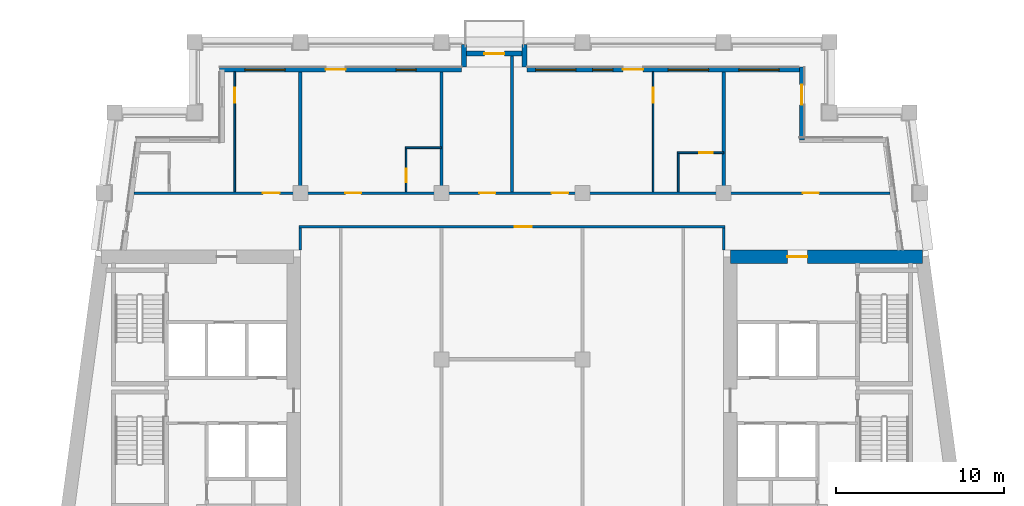
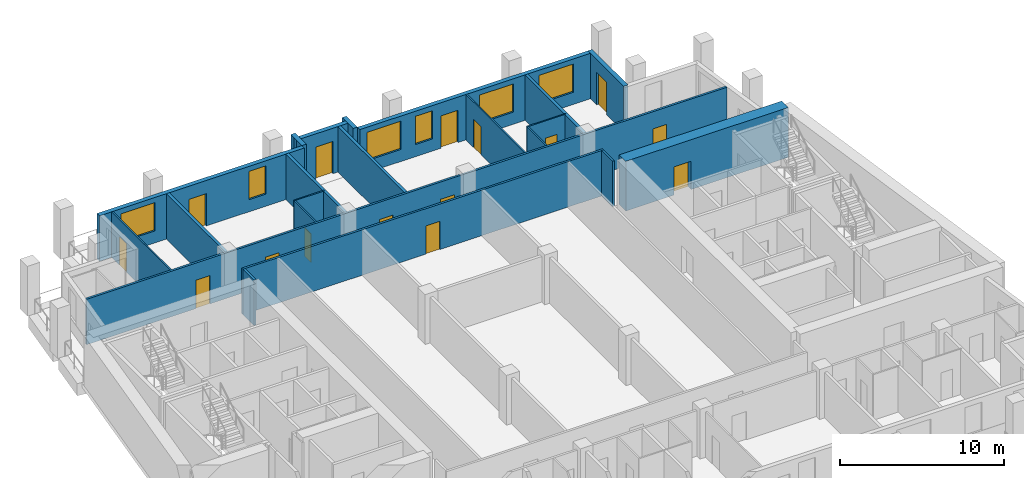
# One storey, part 6 of 12: 21 walls, 15 doors, 6 windows, 21 openings.
"""IFC4 building model written with IfcOpenShell, lengths in metres."""

from ifc_helpers import new_model, si_unit, direction, frame, frame_2d, origin, place, context, subcontext, project, spatial, rectangle, extrude, material, layer, layer_set, type_object, element, fill, save


model = new_model("IFC4")

# Units and contexts
model_context = context("Model", 3, precision=1e-05, world=origin(), true_north=direction((0.0, 1.0)))
body_context = subcontext(model_context, "Body", "Model", "MODEL_VIEW")
ifc_project = project(units=[si_unit("LENGTHUNIT", "METRE"), si_unit("AREAUNIT", "SQUARE_METRE"), si_unit("VOLUMEUNIT", "CUBIC_METRE"), si_unit("PLANEANGLEUNIT", "RADIAN"), si_unit("MASSUNIT", "GRAM", prefix="KILO")], contexts=[model_context])

# Site, building, storey
site_placement = place(None, origin())
site = spatial("IfcSite", under=ifc_project, at=site_placement, CompositionType="ELEMENT")
building_placement = place(site_placement, origin())
building = spatial("IfcBuilding", under=site, at=building_placement, Name="Candeia Pilgrim Tower and Theatre", CompositionType="ELEMENT")
storey_placement = place(building_placement, frame((0.0, 0.0, 231.800048828125)))
storey = spatial("IfcBuildingStorey", under=building, at=storey_placement, Name="L56", CompositionType="ELEMENT", Elevation=231.800048828125)

# Wall, opening, door
ifc_material_1 = material(Name="Concrete C50/60", Category="concrete")
ifc_layer_1 = layer(ifc_material_1, 0.800048828125)
ifc_layer_set_1 = layer_set([ifc_layer_1], Name="Core wall 800 C50/60")
wall_type_1 = type_object("IfcWallType", Name="Core wall 800 C50/60", PredefinedType="SHEAR", material=ifc_layer_set_1)
wall_1_placement = place(storey_placement, frame((126.39990234375, 132.0, 0.0), z_axis=(0.0, 0.0, 1.0), x_axis=(1.0, 0.0, 0.0)))
wall_1 = element("IfcWall", 1, at=wall_1_placement, inside=storey, type_object=wall_type_1, Name="Core wall E1", PredefinedType="SHEAR", context=body_context, shape_type="SweptSolid", body=[
    extrude(rectangle(XDim=11.419677734375, YDim=0.800048828125, at=frame_2d((5.7099609375, 0.0))), origin(), (0.0, 0.0, 1.0), 3.699951171875),
])
opening_1_placement = place(wall_1_placement, frame((3.386474609375, 0.0, 0.0)))
opening_1 = element("IfcOpeningElement", 2, at=opening_1_placement, cuts=wall_1, Name="Opening L56-D049", PredefinedType="OPENING", context=body_context, shape_type="SweptSolid", body=[
    extrude(rectangle(XDim=1.199951171875, YDim=2.10009765625, at=frame_2d((0.60009765625, 1.050048828125))), frame((0.0, 0.41015625, 0.0), z_axis=(0.0, -1.0, 0.0), x_axis=(1.0, 0.0, 0.0)), (0.0, 0.0, 1.0), 0.820068359375),
])
ifc_material_2 = material(Name="Steel fire door set", Category="steel")
door_type_1 = type_object("IfcDoorType", Name="D-1200-FD60", OperationType="NOTDEFINED", PredefinedType="DOOR", material=ifc_material_2)
door_1_placement = place(opening_1_placement, origin())
door_1 = element("IfcDoor", 3, at=door_1_placement, inside=storey, type_object=door_type_1, Name="Door L56-D049", OperationType="SINGLE_SWING_LEFT", OverallHeight=2.10009765625, OverallWidth=1.199951171875, PredefinedType="DOOR", context=body_context, shape_type="SweptSolid", body=[
    extrude(rectangle(XDim=1.199951171875, YDim=2.10009765625, at=frame_2d((0.60009765625, 1.050048828125))), frame((0.0, 0.02490234375, 0.0), z_axis=(0.0, -1.0, 0.0), x_axis=(1.0, 0.0, 0.0)), (0.0, 0.0, 1.0), 0.050048828125),
])
fill(opening_1, door_1)

ifc_material_3 = material(Name="Ceramic block masonry", Category="masonry")
ifc_layer_2 = layer(ifc_material_3, 0.300048828125)
ifc_layer_set_2 = layer_set([ifc_layer_2], Name="EW1 glazing-line wall 300")
wall_type_2 = type_object("IfcWallType", Name="EW1 glazing-line wall 300", PredefinedType="SOLIDWALL", material=ifc_layer_set_2)
wall_2_placement = place(storey_placement, frame((130.64990234375, 138.949951171875, 0.0), z_axis=(0.0, 0.0, 1.0), x_axis=(0.0, 1.0, 0.0)))
wall_2 = element("IfcWall", 4, at=wall_2_placement, inside=storey, type_object=wall_type_2, Name="External wall L56-5.0", PredefinedType="SOLIDWALL", context=body_context, shape_type="SweptSolid", body=[
    extrude(rectangle(XDim=4.35009765625, YDim=0.300048828125, at=frame_2d((2.175048828125, 0.0))), origin(), (0.0, 0.0, 1.0), 3.3798828125),
])
opening_2_placement = place(wall_2_placement, frame((2.10009765625, 0.0, 0.0)))
opening_2 = element("IfcOpeningElement", 5, at=opening_2_placement, cuts=wall_2, Name="Opening L56-ED539", PredefinedType="OPENING", context=body_context, shape_type="SweptSolid", body=[
    extrude(rectangle(XDim=1.199951171875, YDim=2.39990234375, at=frame_2d((0.60009765625, 1.199951171875))), frame((0.0, 0.16015625, 0.0), z_axis=(0.0, -1.0, 0.0), x_axis=(1.0, 0.0, 0.0)), (0.0, 0.0, 1.0), 0.320068359375),
])
ifc_material_4 = material(Name="Aluminium framed glazed door", Category="aluminium")
door_type_2 = type_object("IfcDoorType", Name="Loggia door 1200x2400", OperationType="DOUBLE_DOOR_SINGLE_SWING", PredefinedType="DOOR", material=ifc_material_4)
door_2_placement = place(opening_2_placement, origin())
door_2 = element("IfcDoor", 6, at=door_2_placement, inside=storey, type_object=door_type_2, Name="Loggia door L56-ED539", OperationType="DOUBLE_DOOR_SINGLE_SWING", OverallHeight=2.39990234375, OverallWidth=1.199951171875, PredefinedType="DOOR", context=body_context, shape_type="SweptSolid", body=[
    extrude(rectangle(XDim=1.199951171875, YDim=2.39990234375, at=frame_2d((0.60009765625, 1.199951171875))), frame((0.0, 0.02490234375, 0.0), z_axis=(0.0, -1.0, 0.0), x_axis=(1.0, 0.0, 0.0)), (0.0, 0.0, 1.0), 0.050048828125),
])
fill(opening_2, door_2)

# Wall, openings, door, windows
wall_3_placement = place(storey_placement, frame((130.64990234375, 143.14990234375, 0.0), z_axis=(0.0, 0.0, 1.0), x_axis=(-1.0, 0.0, 0.0)))
wall_3 = element("IfcWall", 7, at=wall_3_placement, inside=storey, type_object=wall_type_2, Name="External wall L56-6.0", PredefinedType="SOLIDWALL", context=body_context, shape_type="SweptSolid", body=[
    extrude(rectangle(XDim=16.349853515625, YDim=0.300048828125, at=frame_2d((8.1748046875, 0.0))), origin(), (0.0, 0.0, 1.0), 3.3798828125),
])
opening_3_placement = place(wall_3_placement, frame((1.35009765625, 0.0, 0.89990234375)))
opening_3 = element("IfcOpeningElement", 8, at=opening_3_placement, cuts=wall_3, Name="Opening W-A", PredefinedType="OPENING", context=body_context, shape_type="SweptSolid", body=[
    extrude(rectangle(XDim=2.39990234375, YDim=2.10009765625, at=frame_2d((1.199951171875, 1.050048828125))), frame((0.0, 0.16015625, 0.0), z_axis=(0.0, -1.0, 0.0), x_axis=(1.0, 0.0, 0.0)), (0.0, 0.0, 1.0), 0.320068359375),
])
opening_4_placement = place(wall_3_placement, frame((5.550048828125, 0.0, 0.89990234375)))
opening_4 = element("IfcOpeningElement", 9, at=opening_4_placement, cuts=wall_3, Name="Opening W-A", PredefinedType="OPENING", context=body_context, shape_type="SweptSolid", body=[
    extrude(rectangle(XDim=2.39990234375, YDim=2.10009765625, at=frame_2d((1.199951171875, 1.050048828125))), frame((0.0, 0.16015625, 0.0), z_axis=(0.0, -1.0, 0.0), x_axis=(1.0, 0.0, 0.0)), (0.0, 0.0, 1.0), 0.320068359375),
])
opening_5_placement = place(wall_3_placement, frame((9.449951171875, 0.0, 0.0)))
opening_5 = element("IfcOpeningElement", 10, at=opening_5_placement, cuts=wall_3, Name="Opening L56-ED540", PredefinedType="OPENING", context=body_context, shape_type="SweptSolid", body=[
    extrude(rectangle(XDim=1.199951171875, YDim=2.39990234375, at=frame_2d((0.60009765625, 1.199951171875))), frame((0.0, 0.16015625, 0.0), z_axis=(0.0, -1.0, 0.0), x_axis=(1.0, 0.0, 0.0)), (0.0, 0.0, 1.0), 0.320068359375),
])
opening_6_placement = place(wall_3_placement, frame((11.25, 0.0, 0.89990234375)))
opening_6 = element("IfcOpeningElement", 11, at=opening_6_placement, cuts=wall_3, Name="Opening W-B", PredefinedType="OPENING", context=body_context, shape_type="SweptSolid", body=[
    extrude(rectangle(XDim=1.199951171875, YDim=2.10009765625, at=frame_2d((0.60009765625, 1.050048828125))), frame((0.0, 0.16015625, 0.0), z_axis=(0.0, -1.0, 0.0), x_axis=(1.0, 0.0, 0.0)), (0.0, 0.0, 1.0), 0.320068359375),
])
opening_7_placement = place(wall_3_placement, frame((13.449951171875, 0.0, 0.89990234375)))
opening_7 = element("IfcOpeningElement", 12, at=opening_7_placement, cuts=wall_3, Name="Opening W-A", PredefinedType="OPENING", context=body_context, shape_type="SweptSolid", body=[
    extrude(rectangle(XDim=2.39990234375, YDim=2.10009765625, at=frame_2d((1.199951171875, 1.050048828125))), frame((0.0, 0.16015625, 0.0), z_axis=(0.0, -1.0, 0.0), x_axis=(1.0, 0.0, 0.0)), (0.0, 0.0, 1.0), 0.320068359375),
])
door_3_placement = place(opening_5_placement, origin())
door_3 = element("IfcDoor", 13, at=door_3_placement, inside=storey, type_object=door_type_2, Name="Loggia door L56-ED540", OperationType="DOUBLE_DOOR_SINGLE_SWING", OverallHeight=2.39990234375, OverallWidth=1.199951171875, PredefinedType="DOOR", context=body_context, shape_type="SweptSolid", body=[
    extrude(rectangle(XDim=1.199951171875, YDim=2.39990234375, at=frame_2d((0.60009765625, 1.199951171875))), frame((0.0, 0.02490234375, 0.0), z_axis=(0.0, -1.0, 0.0), x_axis=(1.0, 0.0, 0.0)), (0.0, 0.0, 1.0), 0.050048828125),
])
fill(opening_5, door_3)
ifc_material_5 = material(Name="Aluminium framed double glazing", Category="aluminium")
window_type_1 = type_object("IfcWindowType", Name="W-A window 2400x2100", PartitioningType="DOUBLE_PANEL_VERTICAL", PredefinedType="WINDOW", material=ifc_material_5)
window_1_placement = place(opening_3_placement, origin())
window_1 = element("IfcWindow", 14, at=window_1_placement, inside=storey, type_object=window_type_1, Name="Window W-A L56", OverallHeight=2.10009765625, OverallWidth=2.39990234375, PartitioningType="SINGLE_PANEL", PredefinedType="WINDOW", context=body_context, shape_type="SweptSolid", body=[
    extrude(rectangle(XDim=2.39990234375, YDim=2.10009765625, at=frame_2d((1.199951171875, 1.050048828125))), frame((0.0, 0.030029296875, 0.0), z_axis=(0.0, -1.0, 0.0), x_axis=(1.0, 0.0, 0.0)), (0.0, 0.0, 1.0), 0.06005859375),
])
fill(opening_3, window_1)
window_2_placement = place(opening_4_placement, origin())
window_2 = element("IfcWindow", 15, at=window_2_placement, inside=storey, type_object=window_type_1, Name="Window W-A L56", OverallHeight=2.10009765625, OverallWidth=2.39990234375, PartitioningType="SINGLE_PANEL", PredefinedType="WINDOW", context=body_context, shape_type="SweptSolid", body=[
    extrude(rectangle(XDim=2.39990234375, YDim=2.10009765625, at=frame_2d((1.199951171875, 1.050048828125))), frame((0.0, 0.030029296875, 0.0), z_axis=(0.0, -1.0, 0.0), x_axis=(1.0, 0.0, 0.0)), (0.0, 0.0, 1.0), 0.06005859375),
])
fill(opening_4, window_2)
window_3_placement = place(opening_7_placement, origin())
window_3 = element("IfcWindow", 16, at=window_3_placement, inside=storey, type_object=window_type_1, Name="Window W-A L56", OverallHeight=2.10009765625, OverallWidth=2.39990234375, PartitioningType="SINGLE_PANEL", PredefinedType="WINDOW", context=body_context, shape_type="SweptSolid", body=[
    extrude(rectangle(XDim=2.39990234375, YDim=2.10009765625, at=frame_2d((1.199951171875, 1.050048828125))), frame((0.0, 0.030029296875, 0.0), z_axis=(0.0, -1.0, 0.0), x_axis=(1.0, 0.0, 0.0)), (0.0, 0.0, 1.0), 0.06005859375),
])
fill(opening_7, window_3)
window_type_2 = type_object("IfcWindowType", Name="W-B window 1200x2100", PartitioningType="SINGLE_PANEL", PredefinedType="WINDOW", material=ifc_material_5)
window_4_placement = place(opening_6_placement, origin())
window_4 = element("IfcWindow", 17, at=window_4_placement, inside=storey, type_object=window_type_2, Name="Window W-B L56", OverallHeight=2.10009765625, OverallWidth=1.199951171875, PartitioningType="SINGLE_PANEL", PredefinedType="WINDOW", context=body_context, shape_type="SweptSolid", body=[
    extrude(rectangle(XDim=1.199951171875, YDim=2.10009765625, at=frame_2d((0.60009765625, 1.050048828125))), frame((0.0, 0.030029296875, 0.0), z_axis=(0.0, -1.0, 0.0), x_axis=(1.0, 0.0, 0.0)), (0.0, 0.0, 1.0), 0.06005859375),
])
fill(opening_6, window_4)

wall_4_placement = place(storey_placement, frame((110.39990234375, 143.14990234375, 0.0), z_axis=(0.0, 0.0, 1.0), x_axis=(-1.0, 0.0, 0.0)))
wall_4 = element("IfcWall", 18, at=wall_4_placement, inside=storey, type_object=wall_type_2, Name="External wall L56-6.1", PredefinedType="SOLIDWALL", context=body_context, shape_type="SweptSolid", body=[
    extrude(rectangle(XDim=14.39990234375, YDim=0.300048828125, at=frame_2d((7.199951171875, 0.0))), origin(), (0.0, 0.0, 1.0), 3.3798828125),
])
opening_8_placement = place(wall_4_placement, frame((2.699951171875, 0.0, 0.89990234375)))
opening_8 = element("IfcOpeningElement", 19, at=opening_8_placement, cuts=wall_4, Name="Opening W-B", PredefinedType="OPENING", context=body_context, shape_type="SweptSolid", body=[
    extrude(rectangle(XDim=1.199951171875, YDim=2.10009765625, at=frame_2d((0.60009765625, 1.050048828125))), frame((0.0, 0.16015625, 0.0), z_axis=(0.0, -1.0, 0.0), x_axis=(1.0, 0.0, 0.0)), (0.0, 0.0, 1.0), 0.320068359375),
])
opening_9_placement = place(wall_4_placement, frame((6.89990234375, 0.0, 0.0)))
opening_9 = element("IfcOpeningElement", 20, at=opening_9_placement, cuts=wall_4, Name="Opening L56-ED541", PredefinedType="OPENING", context=body_context, shape_type="SweptSolid", body=[
    extrude(rectangle(XDim=1.199951171875, YDim=2.39990234375, at=frame_2d((0.60009765625, 1.199951171875))), frame((0.0, 0.16015625, 0.0), z_axis=(0.0, -1.0, 0.0), x_axis=(1.0, 0.0, 0.0)), (0.0, 0.0, 1.0), 0.320068359375),
])
opening_10_placement = place(wall_4_placement, frame((10.5, 0.0, 0.89990234375)))
opening_10 = element("IfcOpeningElement", 21, at=opening_10_placement, cuts=wall_4, Name="Opening W-A", PredefinedType="OPENING", context=body_context, shape_type="SweptSolid", body=[
    extrude(rectangle(XDim=2.39990234375, YDim=2.10009765625, at=frame_2d((1.199951171875, 1.050048828125))), frame((0.0, 0.16015625, 0.0), z_axis=(0.0, -1.0, 0.0), x_axis=(1.0, 0.0, 0.0)), (0.0, 0.0, 1.0), 0.320068359375),
])
door_4_placement = place(opening_9_placement, origin())
door_4 = element("IfcDoor", 22, at=door_4_placement, inside=storey, type_object=door_type_2, Name="Loggia door L56-ED541", OperationType="DOUBLE_DOOR_SINGLE_SWING", OverallHeight=2.39990234375, OverallWidth=1.199951171875, PredefinedType="DOOR", context=body_context, shape_type="SweptSolid", body=[
    extrude(rectangle(XDim=1.199951171875, YDim=2.39990234375, at=frame_2d((0.60009765625, 1.199951171875))), frame((0.0, 0.02490234375, 0.0), z_axis=(0.0, -1.0, 0.0), x_axis=(1.0, 0.0, 0.0)), (0.0, 0.0, 1.0), 0.050048828125),
])
fill(opening_9, door_4)
window_5_placement = place(opening_10_placement, origin())
window_5 = element("IfcWindow", 23, at=window_5_placement, inside=storey, type_object=window_type_1, Name="Window W-A L56", OverallHeight=2.10009765625, OverallWidth=2.39990234375, PartitioningType="SINGLE_PANEL", PredefinedType="WINDOW", context=body_context, shape_type="SweptSolid", body=[
    extrude(rectangle(XDim=2.39990234375, YDim=2.10009765625, at=frame_2d((1.199951171875, 1.050048828125))), frame((0.0, 0.030029296875, 0.0), z_axis=(0.0, -1.0, 0.0), x_axis=(1.0, 0.0, 0.0)), (0.0, 0.0, 1.0), 0.06005859375),
])
fill(opening_10, window_5)
window_6_placement = place(opening_8_placement, origin())
window_6 = element("IfcWindow", 24, at=window_6_placement, inside=storey, type_object=window_type_2, Name="Window W-B L56", OverallHeight=2.10009765625, OverallWidth=1.199951171875, PartitioningType="SINGLE_PANEL", PredefinedType="WINDOW", context=body_context, shape_type="SweptSolid", body=[
    extrude(rectangle(XDim=1.199951171875, YDim=2.10009765625, at=frame_2d((0.60009765625, 1.050048828125))), frame((0.0, 0.030029296875, 0.0), z_axis=(0.0, -1.0, 0.0), x_axis=(1.0, 0.0, 0.0)), (0.0, 0.0, 1.0), 0.06005859375),
])
fill(opening_8, window_6)

# Walls
ifc_layer_3 = layer(ifc_material_3, 0.300048828125)
ifc_layer_set_3 = layer_set([ifc_layer_3], Name="EW2 entrance infill wall 300")
wall_type_3 = type_object("IfcWallType", Name="EW2 entrance infill wall 300", PredefinedType="SOLIDWALL", material=ifc_layer_set_3)
for number, where, z_axis, x_axis, name in (
    (25, (114.14990234375, 143.300048828125, 0.0), (0.0, 0.0, 1.0), (0.0, 1.0, 0.0), "Alcove wall L56"),
    (26, (110.550048828125, 143.300048828125, 0.0), (0.0, 0.0, 1.0), (0.0, 1.0, 0.0), "Alcove wall L56"),
):
    element("IfcWall", number, at=place(storey_placement, frame(where, z_axis=z_axis, x_axis=x_axis)), inside=storey, type_object=wall_type_3, Name=name, PredefinedType="SOLIDWALL", context=body_context, shape_type="SweptSolid", body=[
        extrude(rectangle(XDim=1.349853515625, YDim=0.300048828125, at=frame_2d((0.6748046875, 0.0))), origin(), (0.0, 0.0, 1.0), 3.3798828125),
    ])

# Wall, opening, door
wall_5_placement = place(storey_placement, frame((114.300048828125, 144.10009765625, 0.0), z_axis=(0.0, 0.0, 1.0), x_axis=(-1.0, 0.0, 0.0)))
wall_5 = element("IfcWall", 27, at=wall_5_placement, inside=storey, type_object=wall_type_3, Name="Alcove wall L56", PredefinedType="SOLIDWALL", context=body_context, shape_type="SweptSolid", body=[
    extrude(rectangle(XDim=3.900146484375, YDim=0.300048828125, at=frame_2d((1.9501953125, 0.0))), origin(), (0.0, 0.0, 1.0), 3.3798828125),
])
opening_11_placement = place(wall_5_placement, frame((1.35009765625, 0.0, 0.0)))
opening_11 = element("IfcOpeningElement", 28, at=opening_11_placement, cuts=wall_5, Name="Opening L56-ED542", PredefinedType="OPENING", context=body_context, shape_type="SweptSolid", body=[
    extrude(rectangle(XDim=1.199951171875, YDim=2.39990234375, at=frame_2d((0.60009765625, 1.199951171875))), frame((0.0, 0.16015625, 0.0), z_axis=(0.0, -1.0, 0.0), x_axis=(1.0, 0.0, 0.0)), (0.0, 0.0, 1.0), 0.320068359375),
])
door_5_placement = place(opening_11_placement, origin())
door_5 = element("IfcDoor", 29, at=door_5_placement, inside=storey, type_object=door_type_2, Name="Balcony door L56-ED542", OperationType="DOUBLE_DOOR_SINGLE_SWING", OverallHeight=2.39990234375, OverallWidth=1.199951171875, PredefinedType="DOOR", context=body_context, shape_type="SweptSolid", body=[
    extrude(rectangle(XDim=1.199951171875, YDim=2.39990234375, at=frame_2d((0.60009765625, 1.199951171875))), frame((0.0, 0.02490234375, 0.0), z_axis=(0.0, -1.0, 0.0), x_axis=(1.0, 0.0, 0.0)), (0.0, 0.0, 1.0), 0.050048828125),
])
fill(opening_11, door_5)

ifc_material_6 = material(Name="Gypsum board partition on steel studs", Category="steel")
ifc_layer_4 = layer(ifc_material_6, 0.10009765625)
ifc_layer_set_4 = layer_set([ifc_layer_4], Name="PW-100 room partition")
wall_type_4 = type_object("IfcWallType", Name="PW-100 room partition", PredefinedType="PARTITIONING", material=ifc_layer_set_4)
wall_6_placement = place(storey_placement, frame((123.25, 138.199951171875, 0.0), z_axis=(0.0, 0.0, 1.0), x_axis=(1.0, 0.0, 0.0)))
wall_6 = element("IfcWall", 30, at=wall_6_placement, inside=storey, type_object=wall_type_4, Name="Room partition L56-042", PredefinedType="PARTITIONING", context=body_context, shape_type="SweptSolid", body=[
    extrude(rectangle(XDim=2.75, YDim=0.10009765625, at=frame_2d((1.375, 0.0))), origin(), (0.0, 0.0, 1.0), 3.3798828125),
])
opening_12_placement = place(wall_6_placement, frame((1.300048828125, 0.0, 0.0)))
opening_12 = element("IfcOpeningElement", 31, at=opening_12_placement, cuts=wall_6, Name="Opening L56-D039", PredefinedType="OPENING", context=body_context, shape_type="SweptSolid", body=[
    extrude(rectangle(XDim=0.800048828125, YDim=2.10009765625, at=frame_2d((0.39990234375, 1.050048828125))), frame((0.0, 0.06005859375, 0.0), z_axis=(0.0, -1.0, 0.0), x_axis=(1.0, 0.0, 0.0)), (0.0, 0.0, 1.0), 0.1201171875),
])
ifc_material_7 = material(Name="Timber door leaf", Category="wood")
door_type_3 = type_object("IfcDoorType", Name="D-800", OperationType="NOTDEFINED", PredefinedType="DOOR", material=ifc_material_7)
door_6_placement = place(opening_12_placement, origin())
door_6 = element("IfcDoor", 32, at=door_6_placement, inside=storey, type_object=door_type_3, Name="Door L56-D039", OperationType="SINGLE_SWING_LEFT", OverallHeight=2.10009765625, OverallWidth=0.800048828125, PredefinedType="DOOR", context=body_context, shape_type="SweptSolid", body=[
    extrude(rectangle(XDim=0.800048828125, YDim=2.10009765625, at=frame_2d((0.39990234375, 1.050048828125))), frame((0.0, 0.02490234375, 0.0), z_axis=(0.0, -1.0, 0.0), x_axis=(1.0, 0.0, 0.0)), (0.0, 0.0, 1.0), 0.050048828125),
])
fill(opening_12, door_6)

# Wall
wall_7_placement = place(storey_placement, frame((107.050048828125, 138.5, 0.0), z_axis=(0.0, 0.0, 1.0), x_axis=(1.0, 0.0, 0.0)))
element("IfcWall", 33, at=wall_7_placement, inside=storey, type_object=wall_type_4, Name="Room partition L56-043", PredefinedType="PARTITIONING", context=body_context, shape_type="SweptSolid", body=[
    extrude(rectangle(XDim=2.14990234375, YDim=0.10009765625, at=frame_2d((1.074951171875, 0.0))), origin(), (0.0, 0.0, 1.0), 3.3798828125),
])

# Wall, opening, door
wall_8_placement = place(storey_placement, frame((96.89990234375, 135.875, 0.0), z_axis=(0.0, 0.0, 1.0), x_axis=(0.0, 1.0, 0.0)))
wall_8 = element("IfcWall", 34, at=wall_8_placement, inside=storey, type_object=wall_type_4, Name="Room partition L56-060", PredefinedType="PARTITIONING", context=body_context, shape_type="SweptSolid", body=[
    extrude(rectangle(XDim=7.135009765625, YDim=0.10009765625, at=frame_2d((3.5673828125, 0.0))), origin(), (0.0, 0.0, 1.0), 3.3798828125),
])
opening_13_placement = place(wall_8_placement, frame((5.2900390625, 0.0, 0.0)))
opening_13 = element("IfcOpeningElement", 35, at=opening_13_placement, cuts=wall_8, Name="Opening L56-D032", PredefinedType="OPENING", context=body_context, shape_type="SweptSolid", body=[
    extrude(rectangle(XDim=0.89990234375, YDim=2.10009765625, at=frame_2d((0.449951171875, 1.050048828125))), frame((0.0, 0.06005859375, 0.0), z_axis=(0.0, -1.0, 0.0), x_axis=(1.0, 0.0, 0.0)), (0.0, 0.0, 1.0), 0.1201171875),
])
door_type_4 = type_object("IfcDoorType", Name="D-900", OperationType="NOTDEFINED", PredefinedType="DOOR", material=ifc_material_7)
door_7_placement = place(opening_13_placement, origin())
door_7 = element("IfcDoor", 36, at=door_7_placement, inside=storey, type_object=door_type_4, Name="Door L56-D032", OperationType="SINGLE_SWING_RIGHT", OverallHeight=2.10009765625, OverallWidth=0.89990234375, PredefinedType="DOOR", context=body_context, shape_type="SweptSolid", body=[
    extrude(rectangle(XDim=0.89990234375, YDim=2.10009765625, at=frame_2d((0.449951171875, 1.050048828125))), frame((0.0, 0.02490234375, 0.0), z_axis=(0.0, -1.0, 0.0), x_axis=(1.0, 0.0, 0.0)), (0.0, 0.0, 1.0), 0.050048828125),
])
fill(opening_13, door_7)

wall_9_placement = place(storey_placement, frame((107.10009765625, 135.875, 0.0), z_axis=(0.0, 0.0, 1.0), x_axis=(0.0, 1.0, 0.0)))
wall_9 = element("IfcWall", 37, at=wall_9_placement, inside=storey, type_object=wall_type_4, Name="Room partition L56-072", PredefinedType="PARTITIONING", context=body_context, shape_type="SweptSolid", body=[
    extrude(rectangle(XDim=2.574951171875, YDim=0.10009765625, at=frame_2d((1.28759765625, 0.0))), origin(), (0.0, 0.0, 1.0), 3.3798828125),
])
opening_14_placement = place(wall_9_placement, frame((0.574951171875, 0.0, 0.0)))
opening_14 = element("IfcOpeningElement", 38, at=opening_14_placement, cuts=wall_9, Name="Opening L56-D035", PredefinedType="OPENING", context=body_context, shape_type="SweptSolid", body=[
    extrude(rectangle(XDim=0.800048828125, YDim=2.10009765625, at=frame_2d((0.39990234375, 1.050048828125))), frame((0.0, 0.06005859375, 0.0), z_axis=(0.0, -1.0, 0.0), x_axis=(1.0, 0.0, 0.0)), (0.0, 0.0, 1.0), 0.1201171875),
])
door_8_placement = place(opening_14_placement, origin())
door_8 = element("IfcDoor", 39, at=door_8_placement, inside=storey, type_object=door_type_3, Name="Door L56-D035", OperationType="SINGLE_SWING_LEFT", OverallHeight=2.10009765625, OverallWidth=0.800048828125, PredefinedType="DOOR", context=body_context, shape_type="SweptSolid", body=[
    extrude(rectangle(XDim=0.800048828125, YDim=2.10009765625, at=frame_2d((0.39990234375, 1.050048828125))), frame((0.0, 0.02490234375, 0.0), z_axis=(0.0, -1.0, 0.0), x_axis=(1.0, 0.0, 0.0)), (0.0, 0.0, 1.0), 0.050048828125),
])
fill(opening_14, door_8)

wall_10_placement = place(storey_placement, frame((121.800048828125, 135.875, 0.0), z_axis=(0.0, 0.0, 1.0), x_axis=(0.0, 1.0, 0.0)))
wall_10 = element("IfcWall", 40, at=wall_10_placement, inside=storey, type_object=wall_type_4, Name="Room partition L56-082", PredefinedType="PARTITIONING", context=body_context, shape_type="SweptSolid", body=[
    extrude(rectangle(XDim=7.135009765625, YDim=0.10009765625, at=frame_2d((3.5673828125, 0.0))), origin(), (0.0, 0.0, 1.0), 3.3798828125),
])
opening_15_placement = place(wall_10_placement, frame((5.2900390625, 0.0, 0.0)))
opening_15 = element("IfcOpeningElement", 41, at=opening_15_placement, cuts=wall_10, Name="Opening L56-D038", PredefinedType="OPENING", context=body_context, shape_type="SweptSolid", body=[
    extrude(rectangle(XDim=0.89990234375, YDim=2.10009765625, at=frame_2d((0.449951171875, 1.050048828125))), frame((0.0, 0.06005859375, 0.0), z_axis=(0.0, -1.0, 0.0), x_axis=(1.0, 0.0, 0.0)), (0.0, 0.0, 1.0), 0.1201171875),
])
door_9_placement = place(opening_15_placement, origin())
door_9 = element("IfcDoor", 42, at=door_9_placement, inside=storey, type_object=door_type_4, Name="Door L56-D038", OperationType="SINGLE_SWING_RIGHT", OverallHeight=2.10009765625, OverallWidth=0.89990234375, PredefinedType="DOOR", context=body_context, shape_type="SweptSolid", body=[
    extrude(rectangle(XDim=0.89990234375, YDim=2.10009765625, at=frame_2d((0.449951171875, 1.050048828125))), frame((0.0, 0.02490234375, 0.0), z_axis=(0.0, -1.0, 0.0), x_axis=(1.0, 0.0, 0.0)), (0.0, 0.0, 1.0), 0.050048828125),
])
fill(opening_15, door_9)

# Wall
wall_11_placement = place(storey_placement, frame((123.300048828125, 135.875, 0.0), z_axis=(0.0, 0.0, 1.0), x_axis=(0.0, 1.0, 0.0)))
element("IfcWall", 43, at=wall_11_placement, inside=storey, type_object=wall_type_4, Name="Room partition L56-083", PredefinedType="PARTITIONING", context=body_context, shape_type="SweptSolid", body=[
    extrude(rectangle(XDim=2.27490234375, YDim=0.10009765625, at=frame_2d((1.137451171875, 0.0))), origin(), (0.0, 0.0, 1.0), 3.3798828125),
])

# Wall, opening, door
ifc_layer_5 = layer(ifc_material_6, 0.14990234375)
ifc_layer_set_5 = layer_set([ifc_layer_5], Name="PW-150 unit wall")
wall_type_5 = type_object("IfcWallType", Name="PW-150 unit wall", PredefinedType="PARTITIONING", material=ifc_layer_set_5)
wall_12_placement = place(storey_placement, frame((100.72509765625, 133.800048828125, 0.0), z_axis=(0.0, 0.0, 1.0), x_axis=(1.0, 0.0, 0.0)))
wall_12 = element("IfcWall", 44, at=wall_12_placement, inside=storey, type_object=wall_type_5, Name="Unit wall L56-039", PredefinedType="PARTITIONING", context=body_context, shape_type="SweptSolid", body=[
    extrude(rectangle(XDim=25.349853515625, YDim=0.14990234375, at=frame_2d((12.6748046875, 0.0))), origin(), (0.0, 0.0, 1.0), 3.3798828125),
])
opening_16_placement = place(wall_12_placement, frame((12.844970703125, 0.0, 0.0)))
opening_16 = element("IfcOpeningElement", 45, at=opening_16_placement, cuts=wall_12, Name="Opening L56-D043", PredefinedType="OPENING", context=body_context, shape_type="SweptSolid", body=[
    extrude(rectangle(XDim=1.0, YDim=2.10009765625, at=frame_2d((0.5, 1.050048828125))), frame((0.0, 0.0849609375, 0.0), z_axis=(0.0, -1.0, 0.0), x_axis=(1.0, 0.0, 0.0)), (0.0, 0.0, 1.0), 0.169921875),
])
door_type_5 = type_object("IfcDoorType", Name="D-1000-FD30S", OperationType="NOTDEFINED", PredefinedType="DOOR", material=ifc_material_2)
door_10_placement = place(opening_16_placement, origin())
door_10 = element("IfcDoor", 46, at=door_10_placement, inside=storey, type_object=door_type_5, Name="Door L56-D043", OperationType="SINGLE_SWING_LEFT", OverallHeight=2.10009765625, OverallWidth=1.0, PredefinedType="DOOR", context=body_context, shape_type="SweptSolid", body=[
    extrude(rectangle(XDim=1.0, YDim=2.10009765625, at=frame_2d((0.5, 1.050048828125))), frame((0.0, 0.02490234375, 0.0), z_axis=(0.0, -1.0, 0.0), x_axis=(1.0, 0.0, 0.0)), (0.0, 0.0, 1.0), 0.050048828125),
])
fill(opening_16, door_10)

# Wall, openings, doors
wall_13_placement = place(storey_placement, frame((90.89453125, 135.800048828125, 0.0), z_axis=(0.0, 0.0, 1.0), x_axis=(1.0, 0.0, 0.0)))
wall_13 = element("IfcWall", 47, at=wall_13_placement, inside=storey, type_object=wall_type_5, Name="Unit wall L56-040", PredefinedType="PARTITIONING", context=body_context, shape_type="SweptSolid", body=[
    extrude(rectangle(XDim=45.010986328125, YDim=0.14990234375, at=frame_2d((22.50537109375, 0.0))), origin(), (0.0, 0.0, 1.0), 3.3798828125),
])
opening_17_placement = place(wall_13_placement, frame((7.67529296875, 0.0, 0.0)))
opening_17 = element("IfcOpeningElement", 48, at=opening_17_placement, cuts=wall_13, Name="Opening L56-D031", PredefinedType="OPENING", context=body_context, shape_type="SweptSolid", body=[
    extrude(rectangle(XDim=1.0, YDim=2.10009765625, at=frame_2d((0.5, 1.050048828125))), frame((0.0, 0.0849609375, 0.0), z_axis=(0.0, -1.0, 0.0), x_axis=(1.0, 0.0, 0.0)), (0.0, 0.0, 1.0), 0.169921875),
])
opening_18_placement = place(wall_13_placement, frame((12.580322265625, 0.0, 0.0)))
opening_18 = element("IfcOpeningElement", 49, at=opening_18_placement, cuts=wall_13, Name="Opening L56-D034", PredefinedType="OPENING", context=body_context, shape_type="SweptSolid", body=[
    extrude(rectangle(XDim=0.949951171875, YDim=2.10009765625, at=frame_2d((0.47509765625, 1.050048828125))), frame((0.0, 0.0849609375, 0.0), z_axis=(0.0, -1.0, 0.0), x_axis=(1.0, 0.0, 0.0)), (0.0, 0.0, 1.0), 0.169921875),
])
opening_19_placement = place(wall_13_placement, frame((20.568359375, 0.0, 0.0)))
opening_19 = element("IfcOpeningElement", 50, at=opening_19_placement, cuts=wall_13, Name="Opening L56-D036", PredefinedType="OPENING", context=body_context, shape_type="SweptSolid", body=[
    extrude(rectangle(XDim=0.949951171875, YDim=2.10009765625, at=frame_2d((0.47509765625, 1.050048828125))), frame((0.0, 0.0849609375, 0.0), z_axis=(0.0, -1.0, 0.0), x_axis=(1.0, 0.0, 0.0)), (0.0, 0.0, 1.0), 0.169921875),
])
opening_20_placement = place(wall_13_placement, frame((24.865478515625, 0.0, 0.0)))
opening_20 = element("IfcOpeningElement", 51, at=opening_20_placement, cuts=wall_13, Name="Opening L56-D037", PredefinedType="OPENING", context=body_context, shape_type="SweptSolid", body=[
    extrude(rectangle(XDim=1.0, YDim=2.10009765625, at=frame_2d((0.5, 1.050048828125))), frame((0.0, 0.0849609375, 0.0), z_axis=(0.0, -1.0, 0.0), x_axis=(1.0, 0.0, 0.0)), (0.0, 0.0, 1.0), 0.169921875),
])
opening_21_placement = place(wall_13_placement, frame((39.814453125, 0.0, 0.0)))
opening_21 = element("IfcOpeningElement", 52, at=opening_21_placement, cuts=wall_13, Name="Opening L56-D040", PredefinedType="OPENING", context=body_context, shape_type="SweptSolid", body=[
    extrude(rectangle(XDim=0.949951171875, YDim=2.10009765625, at=frame_2d((0.47509765625, 1.050048828125))), frame((0.0, 0.0849609375, 0.0), z_axis=(0.0, -1.0, 0.0), x_axis=(1.0, 0.0, 0.0)), (0.0, 0.0, 1.0), 0.169921875),
])
door_11_placement = place(opening_17_placement, origin())
door_11 = element("IfcDoor", 53, at=door_11_placement, inside=storey, type_object=door_type_5, Name="Door L56-D031", OperationType="SINGLE_SWING_LEFT", OverallHeight=2.10009765625, OverallWidth=1.0, PredefinedType="DOOR", context=body_context, shape_type="SweptSolid", body=[
    extrude(rectangle(XDim=1.0, YDim=2.10009765625, at=frame_2d((0.5, 1.050048828125))), frame((0.0, 0.02490234375, 0.0), z_axis=(0.0, -1.0, 0.0), x_axis=(1.0, 0.0, 0.0)), (0.0, 0.0, 1.0), 0.050048828125),
])
fill(opening_17, door_11)
door_12_placement = place(opening_20_placement, origin())
door_12 = element("IfcDoor", 54, at=door_12_placement, inside=storey, type_object=door_type_5, Name="Door L56-D037", OperationType="SINGLE_SWING_LEFT", OverallHeight=2.10009765625, OverallWidth=1.0, PredefinedType="DOOR", context=body_context, shape_type="SweptSolid", body=[
    extrude(rectangle(XDim=1.0, YDim=2.10009765625, at=frame_2d((0.5, 1.050048828125))), frame((0.0, 0.02490234375, 0.0), z_axis=(0.0, -1.0, 0.0), x_axis=(1.0, 0.0, 0.0)), (0.0, 0.0, 1.0), 0.050048828125),
])
fill(opening_20, door_12)
door_type_6 = type_object("IfcDoorType", Name="D-950-FD30S", OperationType="NOTDEFINED", PredefinedType="DOOR", material=ifc_material_2)
door_13_placement = place(opening_18_placement, origin())
door_13 = element("IfcDoor", 55, at=door_13_placement, inside=storey, type_object=door_type_6, Name="Door L56-D034", OperationType="SINGLE_SWING_RIGHT", OverallHeight=2.10009765625, OverallWidth=0.949951171875, PredefinedType="DOOR", context=body_context, shape_type="SweptSolid", body=[
    extrude(rectangle(XDim=0.949951171875, YDim=2.10009765625, at=frame_2d((0.47509765625, 1.050048828125))), frame((0.0, 0.02490234375, 0.0), z_axis=(0.0, -1.0, 0.0), x_axis=(1.0, 0.0, 0.0)), (0.0, 0.0, 1.0), 0.050048828125),
])
fill(opening_18, door_13)
door_14_placement = place(opening_19_placement, origin())
door_14 = element("IfcDoor", 56, at=door_14_placement, inside=storey, type_object=door_type_6, Name="Door L56-D036", OperationType="SINGLE_SWING_RIGHT", OverallHeight=2.10009765625, OverallWidth=0.949951171875, PredefinedType="DOOR", context=body_context, shape_type="SweptSolid", body=[
    extrude(rectangle(XDim=0.949951171875, YDim=2.10009765625, at=frame_2d((0.47509765625, 1.050048828125))), frame((0.0, 0.02490234375, 0.0), z_axis=(0.0, -1.0, 0.0), x_axis=(1.0, 0.0, 0.0)), (0.0, 0.0, 1.0), 0.050048828125),
])
fill(opening_19, door_14)
door_15_placement = place(opening_21_placement, origin())
door_15 = element("IfcDoor", 57, at=door_15_placement, inside=storey, type_object=door_type_6, Name="Door L56-D040", OperationType="SINGLE_SWING_RIGHT", OverallHeight=2.10009765625, OverallWidth=0.949951171875, PredefinedType="DOOR", context=body_context, shape_type="SweptSolid", body=[
    extrude(rectangle(XDim=0.949951171875, YDim=2.10009765625, at=frame_2d((0.47509765625, 1.050048828125))), frame((0.0, 0.02490234375, 0.0), z_axis=(0.0, -1.0, 0.0), x_axis=(1.0, 0.0, 0.0)), (0.0, 0.0, 1.0), 0.050048828125),
])
fill(opening_21, door_15)

# Walls
for number, where, z_axis, x_axis, name in (
    (58, (100.800048828125, 132.39990234375, 0.0), (0.0, 0.0, 1.0), (0.0, 1.0, 0.0), "Unit wall L56-067"),
    (59, (126.0, 132.39990234375, 0.0), (0.0, 0.0, 1.0), (0.0, 1.0, 0.0), "Unit wall L56-088"),
):
    element("IfcWall", number, at=place(storey_placement, frame(where, z_axis=z_axis, x_axis=x_axis)), inside=storey, type_object=wall_type_5, Name=name, PredefinedType="PARTITIONING", context=body_context, shape_type="SweptSolid", body=[
        extrude(rectangle(XDim=1.3251953125, YDim=0.14990234375, at=frame_2d((0.66259765625, 0.0))), origin(), (0.0, 0.0, 1.0), 3.3798828125),
    ])
ifc_layer_6 = layer(ifc_material_6, 0.199951171875)
ifc_layer_set_6 = layer_set([ifc_layer_6], Name="PW-200 party wall")
wall_type_6 = type_object("IfcWallType", Name="PW-200 party wall", PredefinedType="PARTITIONING", material=ifc_layer_set_6)
for number, where, z_axis, x_axis, name in (
    (60, (100.800048828125, 135.875, 0.0), (0.0, 0.0, 1.0), (0.0, 1.0, 0.0), "Party wall L56-065"),
    (61, (109.199951171875, 135.875, 0.0), (0.0, 0.0, 1.0), (0.0, 1.0, 0.0), "Party wall L56-075"),
):
    element("IfcWall", number, at=place(storey_placement, frame(where, z_axis=z_axis, x_axis=x_axis)), inside=storey, type_object=wall_type_6, Name=name, PredefinedType="PARTITIONING", context=body_context, shape_type="SweptSolid", body=[
        extrude(rectangle(XDim=7.135009765625, YDim=0.199951171875, at=frame_2d((3.5673828125, 0.0))), origin(), (0.0, 0.0, 1.0), 3.3798828125),
    ])
wall_14_placement = place(storey_placement, frame((113.39990234375, 135.875, 0.0), z_axis=(0.0, 0.0, 1.0), x_axis=(0.0, 1.0, 0.0)))
element("IfcWall", 62, at=wall_14_placement, inside=storey, type_object=wall_type_6, Name="Party wall L56-078", PredefinedType="PARTITIONING", context=body_context, shape_type="SweptSolid", body=[
    extrude(rectangle(XDim=8.0849609375, YDim=0.199951171875, at=frame_2d((4.04248046875, 0.0))), origin(), (0.0, 0.0, 1.0), 3.3798828125),
])
wall_15_placement = place(storey_placement, frame((126.0, 135.875, 0.0), z_axis=(0.0, 0.0, 1.0), x_axis=(0.0, 1.0, 0.0)))
element("IfcWall", 63, at=wall_15_placement, inside=storey, type_object=wall_type_6, Name="Party wall L56-086", PredefinedType="PARTITIONING", context=body_context, shape_type="SweptSolid", body=[
    extrude(rectangle(XDim=7.135009765625, YDim=0.199951171875, at=frame_2d((3.5673828125, 0.0))), origin(), (0.0, 0.0, 1.0), 3.3798828125),
])

save(model, "model.ifc")
